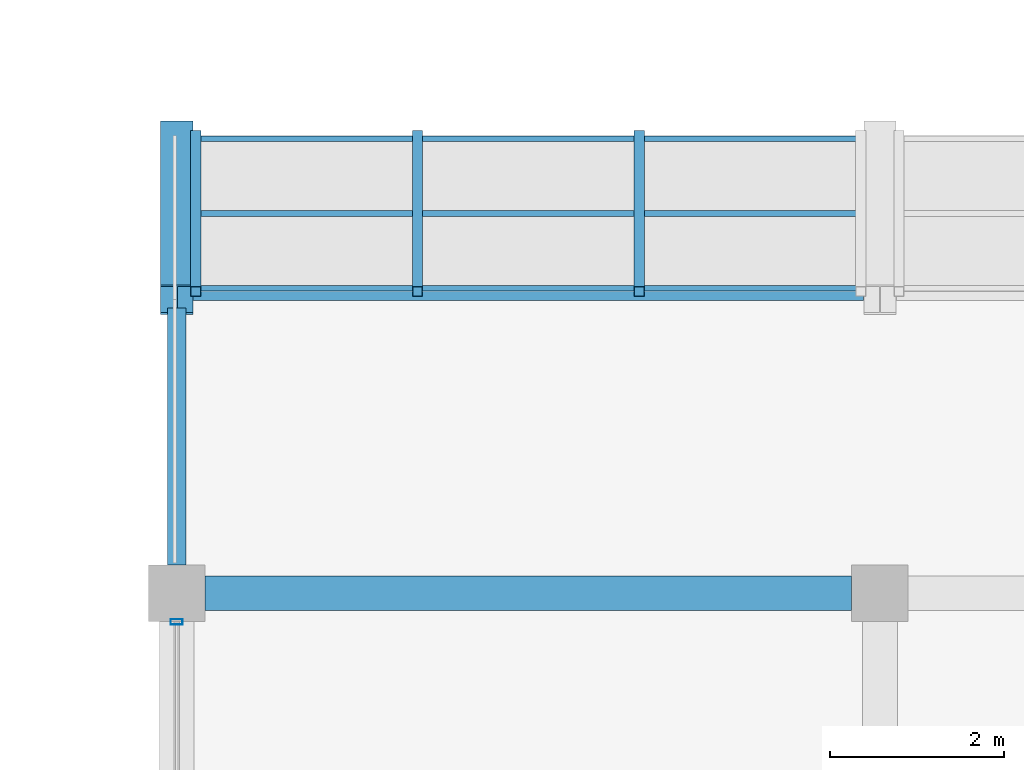
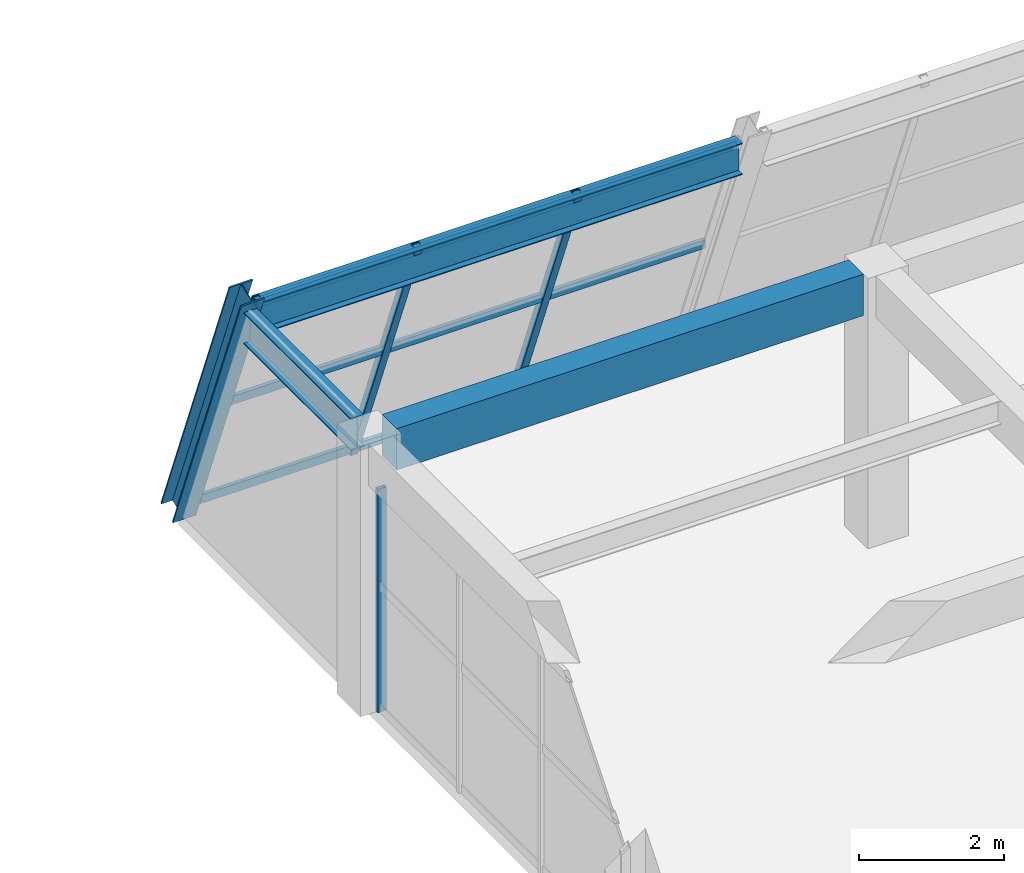
# One storey, part 100 of 161: 8 members, 3 beams, 2 elements without a shape of their own.
"""IFC4 building model written with IfcOpenShell, lengths in metres."""

from ifc_helpers import new_model, si_unit, direction, frame, origin, origin_2d, place, context, subcontext, project, spatial, rectangle, hollow_rectangle, i_section, extrude, material, material_profile, profile_set, type_object, element, aggregate, save


model = new_model("IFC4")

# Units and contexts
model_context = context("Model", 3, precision=1e-05, world=origin(), true_north=direction((0.0, 1.0)))
body_context = subcontext(model_context, "Body", "Model", "MODEL_VIEW")
ifc_project = project(units=[si_unit("LENGTHUNIT", "METRE"), si_unit("AREAUNIT", "SQUARE_METRE"), si_unit("VOLUMEUNIT", "CUBIC_METRE"), si_unit("PLANEANGLEUNIT", "RADIAN"), si_unit("MASSUNIT", "GRAM", prefix="KILO")], contexts=[model_context])

# Site, building, storey
site_placement = place(None, origin())
site = spatial("IfcSite", under=ifc_project, at=site_placement, CompositionType="ELEMENT")
building_placement = place(site_placement, origin())
building = spatial("IfcBuilding", under=site, at=building_placement, Name="Cimatlan Art Gallery", CompositionType="ELEMENT")
storey_placement = place(building_placement, frame((0.0, 0.0, 5.39990234375)))
storey = spatial("IfcBuildingStorey", under=building, at=storey_placement, Name="L01", CompositionType="ELEMENT", Elevation=5.39990234375)

# Beams
ifc_material_1 = material(Name="Concrete C40/50", Category="concrete")
ifc_material_profile_1 = material_profile(ifc_material_1, rectangle(XDim=0.39990234375, YDim=0.699951171875, at=origin_2d()), Name="RC400X700")
ifc_profile_set_1 = profile_set([ifc_material_profile_1], Name="Concrete C40/50")
beam_type_1 = type_object("IfcBeamType", Name="BM-RC-400X700", PredefinedType="BEAM", material=ifc_profile_set_1)
beam_1_placement = place(storey_placement, frame((115.72509765625, 90.5, 4.210205078125), z_axis=(1.0, 0.0, 0.0), x_axis=(0.0, 1.0, 0.0)))
element("IfcBeam", 1, at=beam_1_placement, inside=storey, type_object=beam_type_1, Name="BM-X-L01-14-12", PredefinedType="BEAM", context=body_context, shape_type="SweptSolid", body=[
    extrude(rectangle(XDim=0.39990234375, YDim=0.699951171875, at=origin_2d()), origin(), (0.0, 0.0, 1.0), 7.449951171875),
])
ifc_material_2 = material(Name="Steel ASTM A992 Grade 50", Category="steel")
ifc_material_profile_2 = material_profile(ifc_material_2, i_section(OverallWidth=0.2099609375, OverallDepth=0.532958984375, WebThickness=0.01025390625, FlangeThickness=0.015625, at=origin_2d()), Name="W21X62")
ifc_profile_set_2 = profile_set([ifc_material_profile_2], Name="Steel ASTM A992 Grade 50")
beam_type_2 = type_object("IfcBeamType", Name="BM-STL-W21X62", PredefinedType="BEAM", material=ifc_profile_set_2)
beam_2_placement = place(storey_placement, frame((115.590087890625, 93.976806640625, 4.293701171875), z_axis=(1.0, 0.0, 0.0), x_axis=(0.0, 1.0, 0.0)))
element("IfcBeam", 2, at=beam_2_placement, inside=storey, type_object=beam_type_2, Name="BM-PRW-X-L01-B4-14", PredefinedType="BEAM", context=body_context, shape_type="SweptSolid", body=[
    extrude(i_section(OverallWidth=0.2099609375, OverallDepth=0.532958984375, WebThickness=0.01025390625, FlangeThickness=0.015625, at=origin_2d()), origin(), (0.0, 0.0, 1.0), 7.719970703125),
])
beam_3_placement = place(storey_placement, frame((115.39990234375, 90.824951171875, 4.293701171875), z_axis=(0.0, 1.0, 0.0), x_axis=(-1.0, 0.0, 0.0)))
element("IfcBeam", 3, at=beam_3_placement, inside=storey, type_object=beam_type_2, Name="BM-PRW-Y-L01-B4-14", PredefinedType="BEAM", context=body_context, shape_type="SweptSolid", body=[
    extrude(i_section(OverallWidth=0.2099609375, OverallDepth=0.532958984375, WebThickness=0.01025390625, FlangeThickness=0.015625, at=origin_2d()), origin(), (0.0, 0.0, 1.0), 2.961669921875),
])

# Curtain wall, member
ifc_material_3 = material(Name="Anodised bronze unitised curtain wall")
curtain_wall_type_1 = type_object("IfcCurtainWallType", Name="CW-V-06742X03770-B3", PredefinedType="NOTDEFINED", material=ifc_material_3)
curtain_wall_1_placement = place(storey_placement, origin())
curtain_wall_1 = element("IfcCurtainWall", 4, at=curtain_wall_1_placement, inside=storey, type_object=curtain_wall_type_1, Name="CW-L01-14-11-W", PredefinedType="NOTDEFINED")
ifc_material_4 = material(Name="Anodised bronze aluminium 6063-T6", Category="aluminium")
ifc_material_profile_3 = material_profile(ifc_material_4, hollow_rectangle(XDim=0.06494140625, YDim=0.139892578125, WallThickness=0.00390625, at=origin_2d()), Name="ALU65X140X4")
ifc_profile_set_3 = profile_set([ifc_material_profile_3], Name="Anodised bronze aluminium 6063-T6")
member_type_1 = type_object("IfcMemberType", Name="CW-MUL-140", PredefinedType="MULLION", material=ifc_profile_set_3)
member_1_placement = place(storey_placement, frame((115.39990234375, 90.1708984375, 0.0), z_axis=(0.0, 0.0, 1.0), x_axis=(0.0, 1.0, 0.0)))
member_1 = element("IfcMember", 5, at=member_1_placement, type_object=member_type_1, Name="CW-L01-14-11-W-M4", PredefinedType="MULLION", context=body_context, shape_type="SweptSolid", body=[
    extrude(hollow_rectangle(XDim=0.06494140625, YDim=0.139892578125, WallThickness=0.00390625, at=origin_2d()), origin(), (0.0, 0.0, 1.0), 3.77001953125),
])
aggregate(curtain_wall_1, [member_1])

# Curtain wall, members
ifc_material_5 = material(Name="Raked steel-and-bronze lancet curtain wall", Category="steel")
curtain_wall_type_2 = type_object("IfcCurtainWallType", Name="CW-RAK-07660X04901-B3", PredefinedType="NOTDEFINED", material=ifc_material_5)
curtain_wall_2_placement = place(storey_placement, origin())
curtain_wall_2 = element("IfcCurtainWall", 6, at=curtain_wall_2_placement, inside=storey, type_object=curtain_wall_type_2, Name="CW-PROW-L01-B4-14", PredefinedType="NOTDEFINED")
ifc_material_6 = material(Name="Steel ASTM A500 Grade C", Category="steel")
ifc_material_profile_4 = material_profile(ifc_material_6, hollow_rectangle(XDim=0.1201171875, YDim=0.1201171875, WallThickness=0.00634765625, at=origin_2d()), Name="HSS120X120X6")
ifc_profile_set_4 = profile_set([ifc_material_profile_4], Name="Steel ASTM A500 Grade C")
member_type_2 = type_object("IfcMemberType", Name="CW-MUL-RAK", PredefinedType="MULLION", material=ifc_profile_set_4)
member_2_placement = place(storey_placement, frame((115.6201171875, 95.77294921875, 0.0), z_axis=(0.0, -0.366481396036, 0.930425379254), x_axis=(1.0, 0.0, 0.0)))
member_2 = element("IfcMember", 7, at=member_2_placement, type_object=member_type_2, Name="CW-PROW-L01-B4-14-M1", PredefinedType="MULLION", context=body_context, shape_type="SweptSolid", body=[
    extrude(hollow_rectangle(XDim=0.1201171875, YDim=0.1201171875, WallThickness=0.00634765625, at=origin_2d()), origin(), (0.0, 0.0, 1.0), 4.901123046875),
])
member_3_placement = place(storey_placement, frame((118.17333984375, 95.77294921875, 0.0), z_axis=(0.0, -0.366481396036, 0.930425379254), x_axis=(1.0, 0.0, 0.0)))
member_3 = element("IfcMember", 8, at=member_3_placement, type_object=member_type_2, Name="CW-PROW-L01-B4-14-M2", PredefinedType="MULLION", context=body_context, shape_type="SweptSolid", body=[
    extrude(hollow_rectangle(XDim=0.1201171875, YDim=0.1201171875, WallThickness=0.00634765625, at=origin_2d()), origin(), (0.0, 0.0, 1.0), 4.901123046875),
])
member_4_placement = place(storey_placement, frame((120.726806640625, 95.77294921875, 0.0), z_axis=(0.0, -0.366481396036, 0.930425379254), x_axis=(1.0, 0.0, 0.0)))
member_4 = element("IfcMember", 9, at=member_4_placement, type_object=member_type_2, Name="CW-PROW-L01-B4-14-M3", PredefinedType="MULLION", context=body_context, shape_type="SweptSolid", body=[
    extrude(hollow_rectangle(XDim=0.1201171875, YDim=0.1201171875, WallThickness=0.00634765625, at=origin_2d()), origin(), (0.0, 0.0, 1.0), 4.901123046875),
])
ifc_material_profile_5 = material_profile(ifc_material_4, hollow_rectangle(XDim=0.06494140625, YDim=0.139892578125, WallThickness=0.00390625, at=origin_2d()), Name="ALU65X140X4")
ifc_profile_set_5 = profile_set([ifc_material_profile_5], Name="Anodised bronze aluminium 6063-T6")
member_type_3 = type_object("IfcMemberType", Name="CW-TRN-140", PredefinedType="USERDEFINED", material=ifc_profile_set_5)
member_5_placement = place(storey_placement, frame((115.6201171875, 95.737060546875, 0.09130859375), z_axis=(1.0, 0.0, 0.0), x_axis=(0.0, 1.0, 0.0)))
member_5 = element("IfcMember", 10, at=member_5_placement, type_object=member_type_3, Name="CW-PROW-L01-B4-14-T1", ObjectType="TRANSOM", PredefinedType="USERDEFINED", context=body_context, shape_type="SweptSolid", body=[
    extrude(hollow_rectangle(XDim=0.06494140625, YDim=0.139892578125, WallThickness=0.00390625, at=origin_2d()), origin(), (0.0, 0.0, 1.0), 7.659912109375),
])
member_6_placement = place(storey_placement, frame((115.6201171875, 94.874755859375, 2.280029296875), z_axis=(1.0, 0.0, 0.0), x_axis=(0.0, 1.0, 0.0)))
member_6 = element("IfcMember", 11, at=member_6_placement, type_object=member_type_3, Name="CW-PROW-L01-B4-14-T2", ObjectType="TRANSOM", PredefinedType="USERDEFINED", context=body_context, shape_type="SweptSolid", body=[
    extrude(hollow_rectangle(XDim=0.06494140625, YDim=0.139892578125, WallThickness=0.00390625, at=origin_2d()), origin(), (0.0, 0.0, 1.0), 7.659912109375),
])
member_7_placement = place(storey_placement, frame((115.6201171875, 94.0126953125, 4.468994140625), z_axis=(1.0, 0.0, 0.0), x_axis=(0.0, 1.0, 0.0)))
member_7 = element("IfcMember", 12, at=member_7_placement, type_object=member_type_3, Name="CW-PROW-L01-B4-14-T3", ObjectType="TRANSOM", PredefinedType="USERDEFINED", context=body_context, shape_type="SweptSolid", body=[
    extrude(hollow_rectangle(XDim=0.06494140625, YDim=0.139892578125, WallThickness=0.00390625, at=origin_2d()), origin(), (0.0, 0.0, 1.0), 7.659912109375),
])
aggregate(curtain_wall_2, [member_2, member_3, member_4, member_5, member_6, member_7])

# Member
ifc_material_profile_6 = material_profile(ifc_material_2, i_section(OverallWidth=0.37109375, OverallDepth=0.364013671875, WebThickness=0.01318359375, FlangeThickness=0.021728515625, at=origin_2d()), Name="W14X109")
ifc_profile_set_6 = profile_set([ifc_material_profile_6], Name="Steel ASTM A992 Grade 50")
member_type_4 = type_object("IfcMemberType", Name="MBR-RAK-W14X109", PredefinedType="RAFTER", material=ifc_profile_set_6)
member_8_placement = place(storey_placement, frame((115.39990234375, 95.77294921875, 0.0), z_axis=(0.0, -0.366514587358, 0.930412304978), x_axis=(1.0, 0.0, 0.0)))
element("IfcMember", 13, at=member_8_placement, inside=storey, type_object=member_type_4, Name="MBR-RAK-L01-B4-14", PredefinedType="RAFTER", context=body_context, shape_type="SweptSolid", body=[
    extrude(i_section(OverallWidth=0.37109375, OverallDepth=0.364013671875, WebThickness=0.01318359375, FlangeThickness=0.021728515625, at=origin_2d()), origin(), (0.0, 0.0, 1.0), 5.158935546875),
])

save(model, "model.ifc")
